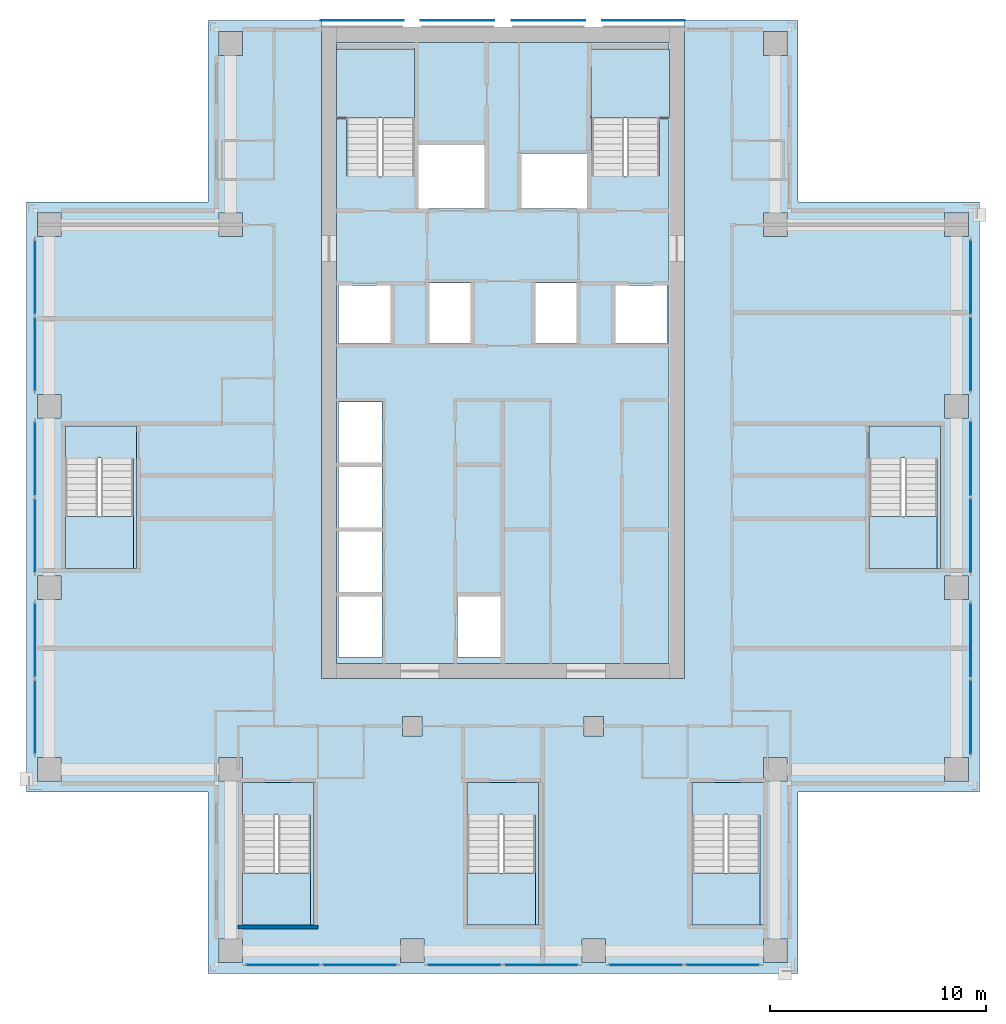
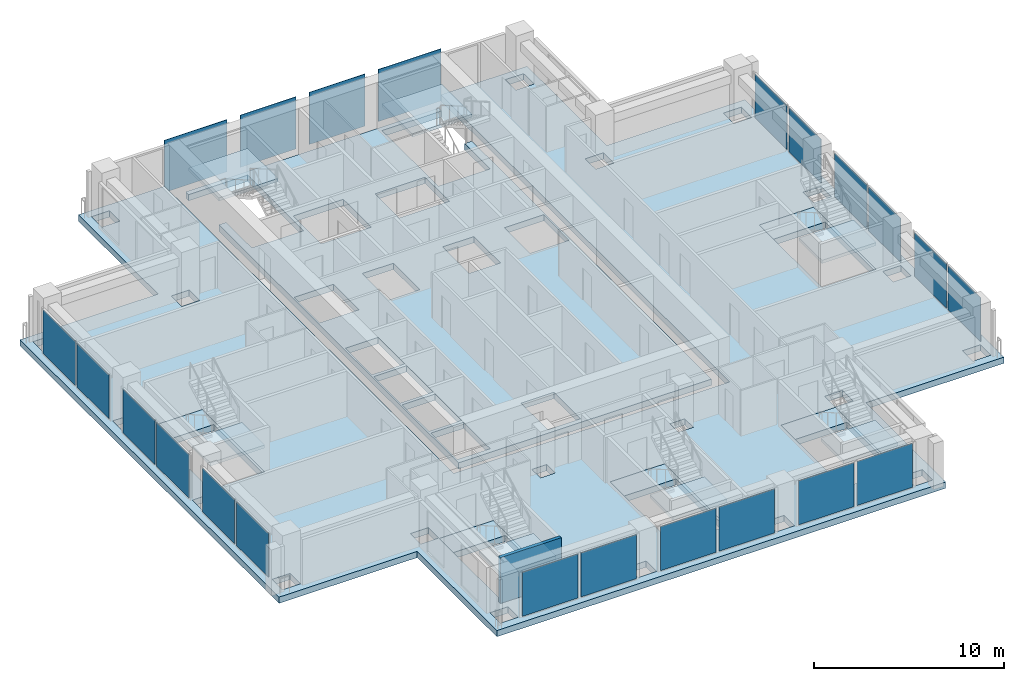
# One storey, part 8 of 16: 22 plates, 14 slabs, 1 wall, 16 elements without a shape of their own.
"""IFC4 building model written with IfcOpenShell, lengths in metres."""

from ifc_helpers import new_model, si_unit, direction, frame, frame_2d, origin, origin_2d, place, context, subcontext, project, spatial, polyline, rectangle, outline, extrude, material, layer, layer_set, type_object, element, aggregate, save


model = new_model("IFC4")

# Units and contexts
model_context = context("Model", 3, precision=1e-05, world=origin(), true_north=direction((0.0, 1.0)))
body_context = subcontext(model_context, "Body", "Model", "MODEL_VIEW")
ifc_project = project(units=[si_unit("LENGTHUNIT", "METRE"), si_unit("AREAUNIT", "SQUARE_METRE"), si_unit("VOLUMEUNIT", "CUBIC_METRE"), si_unit("PLANEANGLEUNIT", "RADIAN"), si_unit("MASSUNIT", "GRAM", prefix="KILO")], contexts=[model_context])

# Site, building, storey
site_placement = place(None, origin())
site = spatial("IfcSite", under=ifc_project, at=site_placement, CompositionType="ELEMENT")
building_placement = place(site_placement, origin())
building = spatial("IfcBuilding", under=site, at=building_placement, Name="Vermilion Ogive Tower", CompositionType="ELEMENT")
storey_placement = place(building_placement, frame((0.0, 0.0, 167.60009765625)))
storey = spatial("IfcBuildingStorey", under=building, at=storey_placement, Name="L43", CompositionType="ELEMENT", Elevation=167.60009765625)

# Curtain wall, plates
ifc_material_1 = material(Name="Low-iron laminated glazing in aluminium frame", Category="aluminium")
curtain_wall_type = type_object("IfcCurtainWallType", Name="Curtain wall CW7", PredefinedType="NOTDEFINED", material=ifc_material_1)
curtain_wall_1_placement = place(storey_placement, origin())
curtain_wall_1 = element("IfcCurtainWall", 1, at=curtain_wall_1_placement, inside=storey, type_object=curtain_wall_type, Name="Glazed skin S1", PredefinedType="NOTDEFINED")
ifc_material_2 = material(Name="Low-iron laminated glazing in aluminium frame", Category="aluminium")
ifc_layer_1 = layer(ifc_material_2, 0.031982421875)
ifc_layer_set_1 = layer_set([ifc_layer_1], Name="CW7 glazing panel 32")
plate_type_1 = type_object("IfcPlateType", Name="CW7 glazing panel 32", PredefinedType="CURTAIN_PANEL", material=ifc_layer_set_1)
plate_1_placement = place(storey_placement, frame((-10.179931640625, -21.64990234375, 0.059814453125), z_axis=(0.0, 0.0, 1.0), x_axis=(1.0, 0.0, 0.0)))
plate_1 = element("IfcPlate", 2, at=plate_1_placement, type_object=plate_type_1, Name="CW7-S1 panel 1.1", PredefinedType="CURTAIN_PANEL", context=body_context, shape_type="SweptSolid", body=[
    extrude(rectangle(XDim=3.3798828125, YDim=0.031982421875, at=origin_2d()), origin(), (0.0, 0.0, 1.0), 2.830078125),
])
plate_2_placement = place(storey_placement, frame((-6.6201171875, -21.64990234375, 0.059814453125), z_axis=(0.0, 0.0, 1.0), x_axis=(1.0, 0.0, 0.0)))
plate_2 = element("IfcPlate", 3, at=plate_2_placement, type_object=plate_type_1, Name="CW7-S1 panel 2.1", PredefinedType="CURTAIN_PANEL", context=body_context, shape_type="SweptSolid", body=[
    extrude(rectangle(XDim=3.3798828125, YDim=0.031982421875, at=origin_2d()), origin(), (0.0, 0.0, 1.0), 2.830078125),
])
aggregate(curtain_wall_1, [plate_1, plate_2])

curtain_wall_2_placement = place(storey_placement, origin())
curtain_wall_2 = element("IfcCurtainWall", 4, at=curtain_wall_2_placement, inside=storey, type_object=curtain_wall_type, Name="Glazed skin S2", PredefinedType="NOTDEFINED")
plate_3_placement = place(storey_placement, frame((-1.780029296875, -21.64990234375, 0.059814453125), z_axis=(0.0, 0.0, 1.0), x_axis=(1.0, 0.0, 0.0)))
plate_3 = element("IfcPlate", 5, at=plate_3_placement, type_object=plate_type_1, Name="CW7-S2 panel 1.1", PredefinedType="CURTAIN_PANEL", context=body_context, shape_type="SweptSolid", body=[
    extrude(rectangle(XDim=3.3798828125, YDim=0.031982421875, at=origin_2d()), origin(), (0.0, 0.0, 1.0), 2.830078125),
])
plate_4_placement = place(storey_placement, frame((1.780029296875, -21.64990234375, 0.059814453125), z_axis=(0.0, 0.0, 1.0), x_axis=(1.0, 0.0, 0.0)))
plate_4 = element("IfcPlate", 6, at=plate_4_placement, type_object=plate_type_1, Name="CW7-S2 panel 2.1", PredefinedType="CURTAIN_PANEL", context=body_context, shape_type="SweptSolid", body=[
    extrude(rectangle(XDim=3.3798828125, YDim=0.031982421875, at=origin_2d()), origin(), (0.0, 0.0, 1.0), 2.830078125),
])
aggregate(curtain_wall_2, [plate_3, plate_4])

curtain_wall_3_placement = place(storey_placement, origin())
curtain_wall_3 = element("IfcCurtainWall", 7, at=curtain_wall_3_placement, inside=storey, type_object=curtain_wall_type, Name="Glazed skin S3", PredefinedType="NOTDEFINED")
plate_5_placement = place(storey_placement, frame((6.6201171875, -21.64990234375, 0.059814453125), z_axis=(0.0, 0.0, 1.0), x_axis=(1.0, 0.0, 0.0)))
plate_5 = element("IfcPlate", 8, at=plate_5_placement, type_object=plate_type_1, Name="CW7-S3 panel 1.1", PredefinedType="CURTAIN_PANEL", context=body_context, shape_type="SweptSolid", body=[
    extrude(rectangle(XDim=3.3798828125, YDim=0.031982421875, at=origin_2d()), origin(), (0.0, 0.0, 1.0), 2.830078125),
])
plate_6_placement = place(storey_placement, frame((10.179931640625, -21.64990234375, 0.059814453125), z_axis=(0.0, 0.0, 1.0), x_axis=(1.0, 0.0, 0.0)))
plate_6 = element("IfcPlate", 9, at=plate_6_placement, type_object=plate_type_1, Name="CW7-S3 panel 2.1", PredefinedType="CURTAIN_PANEL", context=body_context, shape_type="SweptSolid", body=[
    extrude(rectangle(XDim=3.3798828125, YDim=0.031982421875, at=origin_2d()), origin(), (0.0, 0.0, 1.0), 2.830078125),
])
aggregate(curtain_wall_3, [plate_5, plate_6])

curtain_wall_4_placement = place(storey_placement, origin())
curtain_wall_4 = element("IfcCurtainWall", 10, at=curtain_wall_4_placement, inside=storey, type_object=curtain_wall_type, Name="Glazed skin E1", PredefinedType="NOTDEFINED")
plate_7_placement = place(storey_placement, frame((21.64990234375, -10.179931640625, 0.059814453125), z_axis=(0.0, 0.0, 1.0), x_axis=(0.0, 1.0, 0.0)))
plate_7 = element("IfcPlate", 11, at=plate_7_placement, type_object=plate_type_1, Name="CW7-E1 panel 1.1", PredefinedType="CURTAIN_PANEL", context=body_context, shape_type="SweptSolid", body=[
    extrude(rectangle(XDim=3.3798828125, YDim=0.031982421875, at=origin_2d()), origin(), (0.0, 0.0, 1.0), 2.830078125),
])
plate_8_placement = place(storey_placement, frame((21.64990234375, -6.6201171875, 0.059814453125), z_axis=(0.0, 0.0, 1.0), x_axis=(0.0, 1.0, 0.0)))
plate_8 = element("IfcPlate", 12, at=plate_8_placement, type_object=plate_type_1, Name="CW7-E1 panel 2.1", PredefinedType="CURTAIN_PANEL", context=body_context, shape_type="SweptSolid", body=[
    extrude(rectangle(XDim=3.3798828125, YDim=0.031982421875, at=origin_2d()), origin(), (0.0, 0.0, 1.0), 2.830078125),
])
aggregate(curtain_wall_4, [plate_7, plate_8])

curtain_wall_5_placement = place(storey_placement, origin())
curtain_wall_5 = element("IfcCurtainWall", 13, at=curtain_wall_5_placement, inside=storey, type_object=curtain_wall_type, Name="Glazed skin E2", PredefinedType="NOTDEFINED")
plate_9_placement = place(storey_placement, frame((21.64990234375, -1.780029296875, 0.059814453125), z_axis=(0.0, 0.0, 1.0), x_axis=(0.0, 1.0, 0.0)))
plate_9 = element("IfcPlate", 14, at=plate_9_placement, type_object=plate_type_1, Name="CW7-E2 panel 1.1", PredefinedType="CURTAIN_PANEL", context=body_context, shape_type="SweptSolid", body=[
    extrude(rectangle(XDim=3.3798828125, YDim=0.031982421875, at=origin_2d()), origin(), (0.0, 0.0, 1.0), 2.830078125),
])
plate_10_placement = place(storey_placement, frame((21.64990234375, 1.780029296875, 0.059814453125), z_axis=(0.0, 0.0, 1.0), x_axis=(0.0, 1.0, 0.0)))
plate_10 = element("IfcPlate", 15, at=plate_10_placement, type_object=plate_type_1, Name="CW7-E2 panel 2.1", PredefinedType="CURTAIN_PANEL", context=body_context, shape_type="SweptSolid", body=[
    extrude(rectangle(XDim=3.3798828125, YDim=0.031982421875, at=origin_2d()), origin(), (0.0, 0.0, 1.0), 2.830078125),
])
aggregate(curtain_wall_5, [plate_9, plate_10])

curtain_wall_6_placement = place(storey_placement, origin())
curtain_wall_6 = element("IfcCurtainWall", 16, at=curtain_wall_6_placement, inside=storey, type_object=curtain_wall_type, Name="Glazed skin E3", PredefinedType="NOTDEFINED")
plate_11_placement = place(storey_placement, frame((21.64990234375, 6.6201171875, 0.059814453125), z_axis=(0.0, 0.0, 1.0), x_axis=(0.0, 1.0, 0.0)))
plate_11 = element("IfcPlate", 17, at=plate_11_placement, type_object=plate_type_1, Name="CW7-E3 panel 1.1", PredefinedType="CURTAIN_PANEL", context=body_context, shape_type="SweptSolid", body=[
    extrude(rectangle(XDim=3.3798828125, YDim=0.031982421875, at=origin_2d()), origin(), (0.0, 0.0, 1.0), 2.830078125),
])
plate_12_placement = place(storey_placement, frame((21.64990234375, 10.179931640625, 0.059814453125), z_axis=(0.0, 0.0, 1.0), x_axis=(0.0, 1.0, 0.0)))
plate_12 = element("IfcPlate", 18, at=plate_12_placement, type_object=plate_type_1, Name="CW7-E3 panel 2.1", PredefinedType="CURTAIN_PANEL", context=body_context, shape_type="SweptSolid", body=[
    extrude(rectangle(XDim=3.3798828125, YDim=0.031982421875, at=origin_2d()), origin(), (0.0, 0.0, 1.0), 2.830078125),
])
aggregate(curtain_wall_6, [plate_11, plate_12])

curtain_wall_7_placement = place(storey_placement, origin())
curtain_wall_7 = element("IfcCurtainWall", 19, at=curtain_wall_7_placement, inside=storey, type_object=curtain_wall_type, Name="Glazed skin W1", PredefinedType="NOTDEFINED")
plate_13_placement = place(storey_placement, frame((-21.64990234375, 10.179931640625, 0.059814453125), z_axis=(0.0, 0.0, 1.0), x_axis=(0.0, -1.0, 0.0)))
plate_13 = element("IfcPlate", 20, at=plate_13_placement, type_object=plate_type_1, Name="CW7-W1 panel 1.1", PredefinedType="CURTAIN_PANEL", context=body_context, shape_type="SweptSolid", body=[
    extrude(rectangle(XDim=3.3798828125, YDim=0.031982421875, at=origin_2d()), origin(), (0.0, 0.0, 1.0), 2.830078125),
])
plate_14_placement = place(storey_placement, frame((-21.64990234375, 6.6201171875, 0.059814453125), z_axis=(0.0, 0.0, 1.0), x_axis=(0.0, -1.0, 0.0)))
plate_14 = element("IfcPlate", 21, at=plate_14_placement, type_object=plate_type_1, Name="CW7-W1 panel 2.1", PredefinedType="CURTAIN_PANEL", context=body_context, shape_type="SweptSolid", body=[
    extrude(rectangle(XDim=3.3798828125, YDim=0.031982421875, at=origin_2d()), origin(), (0.0, 0.0, 1.0), 2.830078125),
])
aggregate(curtain_wall_7, [plate_13, plate_14])

curtain_wall_8_placement = place(storey_placement, origin())
curtain_wall_8 = element("IfcCurtainWall", 22, at=curtain_wall_8_placement, inside=storey, type_object=curtain_wall_type, Name="Glazed skin W2", PredefinedType="NOTDEFINED")
plate_15_placement = place(storey_placement, frame((-21.64990234375, 1.780029296875, 0.059814453125), z_axis=(0.0, 0.0, 1.0), x_axis=(0.0, -1.0, 0.0)))
plate_15 = element("IfcPlate", 23, at=plate_15_placement, type_object=plate_type_1, Name="CW7-W2 panel 1.1", PredefinedType="CURTAIN_PANEL", context=body_context, shape_type="SweptSolid", body=[
    extrude(rectangle(XDim=3.3798828125, YDim=0.031982421875, at=origin_2d()), origin(), (0.0, 0.0, 1.0), 2.830078125),
])
plate_16_placement = place(storey_placement, frame((-21.64990234375, -1.780029296875, 0.059814453125), z_axis=(0.0, 0.0, 1.0), x_axis=(0.0, -1.0, 0.0)))
plate_16 = element("IfcPlate", 24, at=plate_16_placement, type_object=plate_type_1, Name="CW7-W2 panel 2.1", PredefinedType="CURTAIN_PANEL", context=body_context, shape_type="SweptSolid", body=[
    extrude(rectangle(XDim=3.3798828125, YDim=0.031982421875, at=origin_2d()), origin(), (0.0, 0.0, 1.0), 2.830078125),
])
aggregate(curtain_wall_8, [plate_15, plate_16])

curtain_wall_9_placement = place(storey_placement, origin())
curtain_wall_9 = element("IfcCurtainWall", 25, at=curtain_wall_9_placement, inside=storey, type_object=curtain_wall_type, Name="Glazed skin W3", PredefinedType="NOTDEFINED")
plate_17_placement = place(storey_placement, frame((-21.64990234375, -6.6201171875, 0.059814453125), z_axis=(0.0, 0.0, 1.0), x_axis=(0.0, -1.0, 0.0)))
plate_17 = element("IfcPlate", 26, at=plate_17_placement, type_object=plate_type_1, Name="CW7-W3 panel 1.1", PredefinedType="CURTAIN_PANEL", context=body_context, shape_type="SweptSolid", body=[
    extrude(rectangle(XDim=3.3798828125, YDim=0.031982421875, at=origin_2d()), origin(), (0.0, 0.0, 1.0), 2.830078125),
])
plate_18_placement = place(storey_placement, frame((-21.64990234375, -10.179931640625, 0.059814453125), z_axis=(0.0, 0.0, 1.0), x_axis=(0.0, -1.0, 0.0)))
plate_18 = element("IfcPlate", 27, at=plate_18_placement, type_object=plate_type_1, Name="CW7-W3 panel 2.1", PredefinedType="CURTAIN_PANEL", context=body_context, shape_type="SweptSolid", body=[
    extrude(rectangle(XDim=3.3798828125, YDim=0.031982421875, at=origin_2d()), origin(), (0.0, 0.0, 1.0), 2.830078125),
])
aggregate(curtain_wall_9, [plate_17, plate_18])

# Slabs
ifc_material_3 = material(Name="Concrete B40", Category="concrete")
ifc_layer_2 = layer(ifc_material_3, 0.39990234375)
ifc_layer_set_2 = layer_set([ifc_layer_2], Name="Core floor slab 400 B40")
slab_type_1 = type_object("IfcSlabType", Name="Core floor slab 400 B40", PredefinedType="FLOOR", material=ifc_layer_set_2)
slab_1_placement = place(storey_placement, frame((0.0, 0.0, -0.400146484375)))
element("IfcSlab", 28, at=slab_1_placement, inside=storey, type_object=slab_type_1, Name="L43-CK-FS1", PredefinedType="FLOOR", context=body_context, shape_type="SweptSolid", body=[
    extrude(outline(polyline([(5.75, 14.85009765625), (5.60009765625, 14.85009765625), (5.60009765625, 14.85205078125), (4.10009765625, 14.85205078125), (4.10009765625, 17.550048828125), (4.074951171875, 17.550048828125), (4.074951171875, 20.75), (7.696044921875, 20.75), (7.696044921875, 21.0458984375), (-7.696044921875, 21.0458984375), (-7.696044921875, 20.75), (-4.10009765625, 20.75), (-4.10009765625, 14.85205078125), (-5.60009765625, 14.85205078125), (-5.60009765625, 14.85009765625), (-5.75, 14.85009765625), (-5.75, 14.85205078125), (-7.25, 14.85205078125), (-7.25, 17.550048828125), (-7.696044921875, 17.550048828125), (-7.696044921875, -7.696044921875), (7.696044921875, -7.696044921875), (7.696044921875, 17.550048828125), (7.25, 17.550048828125), (7.25, 14.85205078125), (5.75, 14.85205078125), (5.75, 14.85009765625)]), holes=[polyline([(-7.60009765625, -7.39990234375), (-7.60009765625, -4.60009765625), (-5.60009765625, -4.60009765625), (-5.60009765625, -7.39990234375), (-7.60009765625, -7.39990234375)]), polyline([(-7.60009765625, -4.39990234375), (-7.60009765625, -1.60009765625), (-5.60009765625, -1.60009765625), (-5.60009765625, -4.39990234375), (-7.60009765625, -4.39990234375)]), polyline([(-7.60009765625, -1.39990234375), (-7.60009765625, 1.39990234375), (-5.60009765625, 1.39990234375), (-5.60009765625, -1.39990234375), (-7.60009765625, -1.39990234375)]), polyline([(-7.60009765625, 1.60009765625), (-7.60009765625, 4.39990234375), (-5.60009765625, 4.39990234375), (-5.60009765625, 1.60009765625), (-7.60009765625, 1.60009765625)]), polyline([(-7.60009765625, 7.10009765625), (-7.60009765625, 9.800048828125), (-5.199951171875, 9.800048828125), (-5.199951171875, 7.10009765625), (-7.60009765625, 7.10009765625)]), polyline([(-3.39990234375, 9.89990234375), (-1.5, 9.89990234375), (-1.5, 7.10009765625), (-3.39990234375, 7.10009765625), (-3.39990234375, 9.89990234375)]), polyline([(-2.10009765625, -7.39990234375), (-2.10009765625, -4.60009765625), (-0.10009765625, -4.60009765625), (-0.10009765625, -7.39990234375), (-2.10009765625, -7.39990234375)]), polyline([(5.199951171875, 7.10009765625), (5.199951171875, 9.800048828125), (7.60009765625, 9.800048828125), (7.60009765625, 7.10009765625), (5.199951171875, 7.10009765625)]), polyline([(1.5, 7.10009765625), (1.5, 9.89990234375), (3.39990234375, 9.89990234375), (3.39990234375, 7.10009765625), (1.5, 7.10009765625)]), polyline([(0.85009765625, 13.35009765625), (0.85009765625, 15.89990234375), (3.89990234375, 15.89990234375), (3.89990234375, 13.35009765625), (0.85009765625, 13.35009765625)]), polyline([(-3.89990234375, 16.300048828125), (-0.85009765625, 16.300048828125), (-0.85009765625, 13.35009765625), (-3.89990234375, 13.35009765625), (-3.89990234375, 16.300048828125)])]), origin(), (0.0, 0.0, 1.0), 0.400146484375),
])
slab_2_placement = place(storey_placement, frame((0.0, 0.0, -0.400146484375)))
element("IfcSlab", 29, at=slab_2_placement, inside=storey, type_object=slab_type_1, Name="L43-SF-ST3-1", PredefinedType="FLOOR", context=body_context, shape_type="SweptSolid", body=[
    extrude(outline(polyline([(-12.050048828125, -13.199951171875), (-12.050048828125, -14.701904296875), (-10.550048828125, -14.701904296875), (-10.550048828125, -14.699951171875), (-10.39990234375, -14.699951171875), (-10.39990234375, -14.701904296875), (-8.89990234375, -14.701904296875), (-8.89990234375, -19.800048828125), (-8.75, -19.800048828125), (-8.75, -13.199951171875), (-12.050048828125, -13.199951171875)])), origin(), (0.0, 0.0, 1.0), 0.400146484375),
])
slab_3_placement = place(storey_placement, frame((0.0, 0.0, -0.400146484375)))
element("IfcSlab", 30, at=slab_3_placement, inside=storey, type_object=slab_type_1, Name="L43-SF-ST4-1", PredefinedType="FLOOR", context=body_context, shape_type="SweptSolid", body=[
    extrude(outline(polyline([(-1.64990234375, -13.199951171875), (-1.64990234375, -14.701904296875), (-0.14990234375, -14.701904296875), (-0.14990234375, -14.699951171875), (0.0, -14.699951171875), (0.0, -14.701904296875), (1.5, -14.701904296875), (1.5, -19.800048828125), (1.64990234375, -19.800048828125), (1.64990234375, -13.199951171875), (-1.64990234375, -13.199951171875)])), origin(), (0.0, 0.0, 1.0), 0.400146484375),
])
slab_4_placement = place(storey_placement, frame((0.0, 0.0, -0.400146484375)))
element("IfcSlab", 31, at=slab_4_placement, inside=storey, type_object=slab_type_1, Name="L43-SF-ST5-1", PredefinedType="FLOOR", context=body_context, shape_type="SweptSolid", body=[
    extrude(outline(polyline([(8.75, -13.199951171875), (8.75, -14.701904296875), (10.25, -14.701904296875), (10.25, -14.699951171875), (10.39990234375, -14.699951171875), (10.39990234375, -14.701904296875), (11.89990234375, -14.701904296875), (11.89990234375, -19.800048828125), (12.050048828125, -19.800048828125), (12.050048828125, -13.199951171875), (8.75, -13.199951171875)])), origin(), (0.0, 0.0, 1.0), 0.400146484375),
])
slab_5_placement = place(storey_placement, frame((0.0, 0.0, -0.400146484375)))
element("IfcSlab", 32, at=slab_5_placement, inside=storey, type_object=slab_type_1, Name="L43-SF-ST8-1", PredefinedType="FLOOR", context=body_context, shape_type="SweptSolid", body=[
    extrude(outline(polyline([(16.949951171875, 3.300048828125), (16.949951171875, 1.798095703125), (18.449951171875, 1.798095703125), (18.449951171875, 1.800048828125), (18.60009765625, 1.800048828125), (18.60009765625, 1.798095703125), (20.10009765625, 1.798095703125), (20.10009765625, -3.300048828125), (20.25, -3.300048828125), (20.25, 3.300048828125), (16.949951171875, 3.300048828125)])), origin(), (0.0, 0.0, 1.0), 0.400146484375),
])
slab_6_placement = place(storey_placement, frame((0.0, 0.0, -0.400146484375)))
element("IfcSlab", 33, at=slab_6_placement, inside=storey, type_object=slab_type_1, Name="L43-SF-ST9-1", PredefinedType="FLOOR", context=body_context, shape_type="SweptSolid", body=[
    extrude(outline(polyline([(-20.25, 3.300048828125), (-20.25, 1.798095703125), (-18.75, 1.798095703125), (-18.75, 1.800048828125), (-18.60009765625, 1.800048828125), (-18.60009765625, 1.798095703125), (-17.10009765625, 1.798095703125), (-17.10009765625, -3.300048828125), (-16.949951171875, -3.300048828125), (-16.949951171875, 3.300048828125), (-20.25, 3.300048828125)])), origin(), (0.0, 0.0, 1.0), 0.400146484375),
])

# Plates
ifc_material_4 = material(Name="Low-iron laminated glazing in aluminium frame", Category="aluminium")
ifc_layer_3 = layer(ifc_material_4, 0.031982421875)
ifc_layer_set_3 = layer_set([ifc_layer_3], Name="Glazed rainscreen sheet 32")
plate_type_2 = type_object("IfcPlateType", Name="Glazed rainscreen sheet 32", PredefinedType="SHEET", material=ifc_layer_set_3)
plate_19_placement = place(storey_placement, frame((-6.510009765625, 22.06591796875, -0.400146484375), z_axis=(0.0, 0.0, 1.0), x_axis=(1.0, 0.0, 0.0)))
element("IfcPlate", 34, at=plate_19_placement, inside=storey, type_object=plate_type_2, Name="Glazed rainscreen sheet N1", PredefinedType="SHEET", context=body_context, shape_type="SweptSolid", body=[
    extrude(rectangle(XDim=3.820068359375, YDim=0.031982421875, at=origin_2d()), origin(), (0.0, 0.0, 1.0), 3.35009765625),
])
for number, where, z_axis, x_axis, name in (
    (35, (-2.10009765625, 22.06591796875, -0.400146484375), (0.0, 0.0, 1.0), (1.0, 0.0, 0.0), "Glazed rainscreen sheet N2"),
    (36, (2.10009765625, 22.06591796875, -0.400146484375), (0.0, 0.0, 1.0), (1.0, 0.0, 0.0), "Glazed rainscreen sheet N3"),
):
    element("IfcPlate", number, at=place(storey_placement, frame(where, z_axis=z_axis, x_axis=x_axis)), inside=storey, type_object=plate_type_2, Name=name, PredefinedType="SHEET", context=body_context, shape_type="SweptSolid", body=[
        extrude(rectangle(XDim=3.39990234375, YDim=0.031982421875, at=origin_2d()), origin(), (0.0, 0.0, 1.0), 3.35009765625),
    ])
plate_20_placement = place(storey_placement, frame((6.510009765625, 22.06591796875, -0.400146484375), z_axis=(0.0, 0.0, 1.0), x_axis=(1.0, 0.0, 0.0)))
element("IfcPlate", 37, at=plate_20_placement, inside=storey, type_object=plate_type_2, Name="Glazed rainscreen sheet N4", PredefinedType="SHEET", context=body_context, shape_type="SweptSolid", body=[
    extrude(rectangle(XDim=3.820068359375, YDim=0.031982421875, at=origin_2d()), origin(), (0.0, 0.0, 1.0), 3.35009765625),
])

# Slab
ifc_material_5 = material(Name="Concrete B45", Category="concrete")
ifc_layer_4 = layer(ifc_material_5, 0.39990234375)
ifc_layer_set_4 = layer_set([ifc_layer_4], Name="Post-tensioned flat plate 400 B45")
slab_type_2 = type_object("IfcSlabType", Name="Post-tensioned flat plate 400 B45", PredefinedType="FLOOR", material=ifc_layer_set_4)
slab_7_placement = place(storey_placement, frame((0.0, 0.0, -0.400146484375)))
element("IfcSlab", 38, at=slab_7_placement, inside=storey, type_object=slab_type_2, Name="L43-SL-1", PredefinedType="FLOOR", context=body_context, shape_type="SweptSolid", body=[
    extrude(outline(polyline([(-13.64990234375, -13.64990234375), (-22.050048828125, -13.64990234375), (-22.050048828125, 13.64990234375), (-13.64990234375, 13.64990234375), (-13.64990234375, 22.050048828125), (-8.39990234375, 22.050048828125), (-8.39990234375, -8.39990234375), (8.39990234375, -8.39990234375), (8.39990234375, 22.050048828125), (13.64990234375, 22.050048828125), (13.64990234375, 13.64990234375), (22.050048828125, 13.64990234375), (22.050048828125, -13.64990234375), (13.64990234375, -13.64990234375), (13.64990234375, -22.050048828125), (-13.64990234375, -22.050048828125), (-13.64990234375, -13.64990234375)]), holes=[polyline([(21.550048828125, 12.050048828125), (21.550048828125, 13.14990234375), (20.449951171875, 13.14990234375), (20.449951171875, 12.050048828125), (21.550048828125, 12.050048828125)]), polyline([(21.550048828125, 3.64990234375), (21.550048828125, 4.75), (20.449951171875, 4.75), (20.449951171875, 3.64990234375), (21.550048828125, 3.64990234375)]), polyline([(21.550048828125, -4.75), (21.550048828125, -3.64990234375), (20.449951171875, -3.64990234375), (20.449951171875, -4.75), (21.550048828125, -4.75)]), polyline([(21.550048828125, -13.14990234375), (21.550048828125, -12.050048828125), (20.449951171875, -12.050048828125), (20.449951171875, -13.14990234375), (21.550048828125, -13.14990234375)]), polyline([(20.25, -3.300048828125), (20.25, 3.300048828125), (16.949951171875, 3.300048828125), (16.949951171875, -3.300048828125), (20.25, -3.300048828125)]), polyline([(13.14990234375, 20.449951171875), (13.14990234375, 21.550048828125), (12.050048828125, 21.550048828125), (12.050048828125, 20.449951171875), (13.14990234375, 20.449951171875)]), polyline([(13.14990234375, 12.050048828125), (13.14990234375, 13.14990234375), (12.050048828125, 13.14990234375), (12.050048828125, 12.050048828125), (13.14990234375, 12.050048828125)]), polyline([(13.14990234375, -13.14990234375), (13.14990234375, -12.050048828125), (12.050048828125, -12.050048828125), (12.050048828125, -13.14990234375), (13.14990234375, -13.14990234375)]), polyline([(13.14990234375, -21.550048828125), (13.14990234375, -20.449951171875), (12.050048828125, -20.449951171875), (12.050048828125, -21.550048828125), (13.14990234375, -21.550048828125)]), polyline([(12.050048828125, -19.800048828125), (12.050048828125, -13.199951171875), (8.75, -13.199951171875), (8.75, -19.800048828125), (12.050048828125, -19.800048828125)]), polyline([(4.75, -20.449951171875), (3.64990234375, -20.449951171875), (3.64990234375, -21.550048828125), (4.75, -21.550048828125), (4.75, -20.449951171875)]), polyline([(4.64990234375, -11.050048828125), (4.64990234375, -10.14990234375), (3.75, -10.14990234375), (3.75, -11.050048828125), (4.64990234375, -11.050048828125)]), polyline([(1.64990234375, -19.800048828125), (1.64990234375, -13.199951171875), (-1.64990234375, -13.199951171875), (-1.64990234375, -19.800048828125), (1.64990234375, -19.800048828125)]), polyline([(-3.64990234375, -21.550048828125), (-3.64990234375, -20.449951171875), (-4.75, -20.449951171875), (-4.75, -21.550048828125), (-3.64990234375, -21.550048828125)]), polyline([(-3.75, -11.050048828125), (-3.75, -10.14990234375), (-4.64990234375, -10.14990234375), (-4.64990234375, -11.050048828125), (-3.75, -11.050048828125)]), polyline([(-8.75, -19.800048828125), (-8.75, -13.199951171875), (-12.050048828125, -13.199951171875), (-12.050048828125, -19.800048828125), (-8.75, -19.800048828125)]), polyline([(-12.050048828125, 20.449951171875), (-12.050048828125, 21.550048828125), (-13.14990234375, 21.550048828125), (-13.14990234375, 20.449951171875), (-12.050048828125, 20.449951171875)]), polyline([(-12.050048828125, 12.050048828125), (-12.050048828125, 13.14990234375), (-13.14990234375, 13.14990234375), (-13.14990234375, 12.050048828125), (-12.050048828125, 12.050048828125)]), polyline([(-12.050048828125, -13.14990234375), (-12.050048828125, -12.050048828125), (-13.14990234375, -12.050048828125), (-13.14990234375, -13.14990234375), (-12.050048828125, -13.14990234375)]), polyline([(-12.050048828125, -20.449951171875), (-13.14990234375, -20.449951171875), (-13.14990234375, -21.550048828125), (-12.050048828125, -21.550048828125), (-12.050048828125, -20.449951171875)]), polyline([(-16.949951171875, -3.300048828125), (-16.949951171875, 3.300048828125), (-20.25, 3.300048828125), (-20.25, -3.300048828125), (-16.949951171875, -3.300048828125)]), polyline([(-20.449951171875, -13.14990234375), (-20.449951171875, -12.050048828125), (-21.550048828125, -12.050048828125), (-21.550048828125, -13.14990234375), (-20.449951171875, -13.14990234375)]), polyline([(-20.449951171875, 12.050048828125), (-20.449951171875, 13.14990234375), (-21.550048828125, 13.14990234375), (-21.550048828125, 12.050048828125), (-20.449951171875, 12.050048828125)]), polyline([(-20.449951171875, 3.64990234375), (-20.449951171875, 4.75), (-21.550048828125, 4.75), (-21.550048828125, 3.64990234375), (-20.449951171875, 3.64990234375)]), polyline([(-20.449951171875, -4.75), (-20.449951171875, -3.64990234375), (-21.550048828125, -3.64990234375), (-21.550048828125, -4.75), (-20.449951171875, -4.75)])]), origin(), (0.0, 0.0, 1.0), 0.400146484375),
])

# Stair, slab
ifc_material_6 = material(Name="Concrete B40", Category="concrete")
stair_type = type_object("IfcStairType", Name="Exit stair 1500", PredefinedType="HALF_TURN_STAIR", material=ifc_material_6)
stair_1_placement = place(storey_placement, origin())
stair_1 = element("IfcStair", 39, at=stair_1_placement, inside=storey, type_object=stair_type, Name="L43 Exit Stair ST1", PredefinedType="HALF_TURN_STAIR")
ifc_material_7 = material(Name="Concrete B40", Category="concrete")
ifc_layer_5 = layer(ifc_material_7, 0.199951171875)
ifc_layer_set_5 = layer_set([ifc_layer_5], Name="Stair landing 200")
slab_type_3 = type_object("IfcSlabType", Name="Stair landing 200", PredefinedType="LANDING", material=ifc_layer_set_5)
slab_8_placement = place(storey_placement, frame((0.0, 0.0, 1.52490234375)))
slab_8 = element("IfcSlab", 40, at=slab_8_placement, type_object=slab_type_3, Name="ST1 landing 1", PredefinedType="LANDING", context=body_context, shape_type="SweptSolid", body=[
    extrude(outline(polyline([(-7.699951171875, 17.550048828125), (-7.25, 17.550048828125), (-7.25, 17.548095703125), (-5.75, 17.548095703125), (-5.75, 17.550048828125), (-5.60009765625, 17.550048828125), (-5.60009765625, 17.548095703125), (-4.10009765625, 17.548095703125), (-4.10009765625, 20.75), (-7.699951171875, 20.75), (-7.699951171875, 17.550048828125)])), origin(), (0.0, 0.0, 1.0), 0.199951171875),
])
aggregate(stair_1, [slab_8])

stair_2_placement = place(storey_placement, origin())
stair_2 = element("IfcStair", 41, at=stair_2_placement, inside=storey, type_object=stair_type, Name="L43 Exit Stair ST2", PredefinedType="HALF_TURN_STAIR")
slab_9_placement = place(storey_placement, frame((0.0, 0.0, 1.52490234375)))
slab_9 = element("IfcSlab", 42, at=slab_9_placement, type_object=slab_type_3, Name="ST2 landing 1", PredefinedType="LANDING", context=body_context, shape_type="SweptSolid", body=[
    extrude(outline(polyline([(5.60009765625, 17.550048828125), (5.75, 17.550048828125), (5.75, 17.548095703125), (7.25, 17.548095703125), (7.25, 17.550048828125), (7.699951171875, 17.550048828125), (7.699951171875, 20.75), (4.074951171875, 20.75), (4.074951171875, 17.550048828125), (4.10009765625, 17.550048828125), (4.10009765625, 17.548095703125), (5.60009765625, 17.548095703125), (5.60009765625, 17.550048828125)])), origin(), (0.0, 0.0, 1.0), 0.199951171875),
])
aggregate(stair_2, [slab_9])

stair_3_placement = place(storey_placement, origin())
stair_3 = element("IfcStair", 43, at=stair_3_placement, inside=storey, type_object=stair_type, Name="L43 Exit Stair ST3", PredefinedType="HALF_TURN_STAIR")
slab_10_placement = place(storey_placement, frame((0.0, 0.0, 1.52490234375)))
slab_10 = element("IfcSlab", 44, at=slab_10_placement, type_object=slab_type_3, Name="ST3 landing 1", PredefinedType="LANDING", context=body_context, shape_type="SweptSolid", body=[
    extrude(outline(polyline([(-8.75, -17.39990234375), (-8.89990234375, -17.39990234375), (-8.89990234375, -17.39794921875), (-10.39990234375, -17.39794921875), (-10.39990234375, -17.39990234375), (-10.550048828125, -17.39990234375), (-10.550048828125, -17.39794921875), (-12.050048828125, -17.39794921875), (-12.050048828125, -19.800048828125), (-8.75, -19.800048828125), (-8.75, -17.39990234375)])), origin(), (0.0, 0.0, 1.0), 0.199951171875),
])
aggregate(stair_3, [slab_10])

stair_4_placement = place(storey_placement, origin())
stair_4 = element("IfcStair", 45, at=stair_4_placement, inside=storey, type_object=stair_type, Name="L43 Exit Stair ST4", PredefinedType="HALF_TURN_STAIR")
slab_11_placement = place(storey_placement, frame((0.0, 0.0, 1.52490234375)))
slab_11 = element("IfcSlab", 46, at=slab_11_placement, type_object=slab_type_3, Name="ST4 landing 1", PredefinedType="LANDING", context=body_context, shape_type="SweptSolid", body=[
    extrude(outline(polyline([(1.64990234375, -17.39990234375), (1.5, -17.39990234375), (1.5, -17.39794921875), (0.0, -17.39794921875), (0.0, -17.39990234375), (-0.14990234375, -17.39990234375), (-0.14990234375, -17.39794921875), (-1.64990234375, -17.39794921875), (-1.64990234375, -19.7998046875), (1.64990234375, -19.7998046875), (1.64990234375, -17.39990234375)])), origin(), (0.0, 0.0, 1.0), 0.199951171875),
])
aggregate(stair_4, [slab_11])

stair_5_placement = place(storey_placement, origin())
stair_5 = element("IfcStair", 47, at=stair_5_placement, inside=storey, type_object=stair_type, Name="L43 Exit Stair ST5", PredefinedType="HALF_TURN_STAIR")
slab_12_placement = place(storey_placement, frame((0.0, 0.0, 1.52490234375)))
slab_12 = element("IfcSlab", 48, at=slab_12_placement, type_object=slab_type_3, Name="ST5 landing 1", PredefinedType="LANDING", context=body_context, shape_type="SweptSolid", body=[
    extrude(outline(polyline([(12.050048828125, -17.39990234375), (11.89990234375, -17.39990234375), (11.89990234375, -17.39794921875), (10.39990234375, -17.39794921875), (10.39990234375, -17.39990234375), (10.25, -17.39990234375), (10.25, -17.39794921875), (8.75, -17.39794921875), (8.75, -19.800048828125), (12.050048828125, -19.800048828125), (12.050048828125, -17.39990234375)])), origin(), (0.0, 0.0, 1.0), 0.199951171875),
])
aggregate(stair_5, [slab_12])

stair_6_placement = place(storey_placement, origin())
stair_6 = element("IfcStair", 49, at=stair_6_placement, inside=storey, type_object=stair_type, Name="L43 Exit Stair ST8", PredefinedType="HALF_TURN_STAIR")
slab_13_placement = place(storey_placement, frame((0.0, 0.0, 1.52490234375)))
slab_13 = element("IfcSlab", 50, at=slab_13_placement, type_object=slab_type_3, Name="ST8 landing 1", PredefinedType="LANDING", context=body_context, shape_type="SweptSolid", body=[
    extrude(outline(polyline([(20.25, -0.89990234375), (20.10009765625, -0.89990234375), (20.10009765625, -0.89794921875), (18.60009765625, -0.89794921875), (18.60009765625, -0.89990234375), (18.449951171875, -0.89990234375), (18.449951171875, -0.89794921875), (16.949951171875, -0.89794921875), (16.949951171875, -0.902099609375), (16.9501953125, -0.902099609375), (16.9501953125, -3.2998046875), (20.25, -3.2998046875), (20.25, -0.89990234375)])), origin(), (0.0, 0.0, 1.0), 0.199951171875),
])
aggregate(stair_6, [slab_13])

stair_7_placement = place(storey_placement, origin())
stair_7 = element("IfcStair", 51, at=stair_7_placement, inside=storey, type_object=stair_type, Name="L43 Exit Stair ST9", PredefinedType="HALF_TURN_STAIR")
slab_14_placement = place(storey_placement, frame((0.0, 0.0, 1.52490234375)))
slab_14 = element("IfcSlab", 52, at=slab_14_placement, type_object=slab_type_3, Name="ST9 landing 1", PredefinedType="LANDING", context=body_context, shape_type="SweptSolid", body=[
    extrude(outline(polyline([(-16.9501953125, -0.89990234375), (-17.10009765625, -0.89990234375), (-17.10009765625, -0.89794921875), (-18.60009765625, -0.89794921875), (-18.60009765625, -0.89990234375), (-18.75, -0.89990234375), (-18.75, -0.89794921875), (-20.25, -0.89794921875), (-20.25, -0.89990234375), (-20.25, -0.89990234375), (-20.25, -3.2998046875), (-16.9501953125, -3.2998046875), (-16.9501953125, -0.89990234375)])), origin(), (0.0, 0.0, 1.0), 0.199951171875),
])
aggregate(stair_7, [slab_14])

# Wall
ifc_material_8 = material(Name="Concrete B60", Category="concrete")
ifc_layer_6 = layer(ifc_material_8, 0.199951171875)
ifc_layer_set_6 = layer_set([ifc_layer_6], Name="Stair shaft wall 200 Concrete B60")
wall_type = type_object("IfcWallType", Name="Stair shaft wall 200 Concrete B60", PredefinedType="SOLIDWALL", material=ifc_layer_set_6)
wall_placement = place(storey_placement, frame((-12.25, -19.89990234375, 0.0), z_axis=(0.0, 0.0, 1.0), x_axis=(1.0, 0.0, 0.0)))
element("IfcWall", 53, at=wall_placement, inside=storey, type_object=wall_type, Name="L43-SW-ST3-S1", PredefinedType="SOLIDWALL", context=body_context, shape_type="SweptSolid", body=[
    extrude(rectangle(XDim=3.699951171875, YDim=0.199951171875, at=frame_2d((1.85009765625, 0.0))), origin(), (0.0, 0.0, 1.0), 2.949951171875),
])

save(model, "model.ifc")
